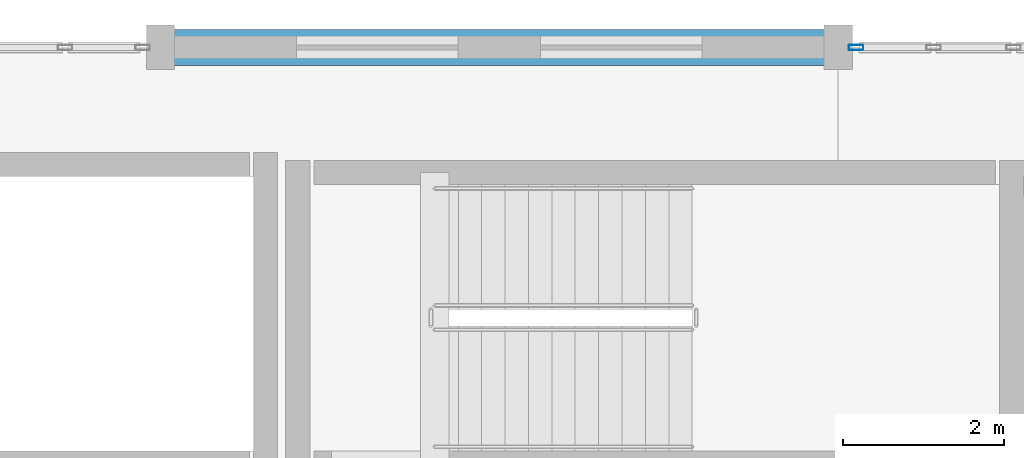
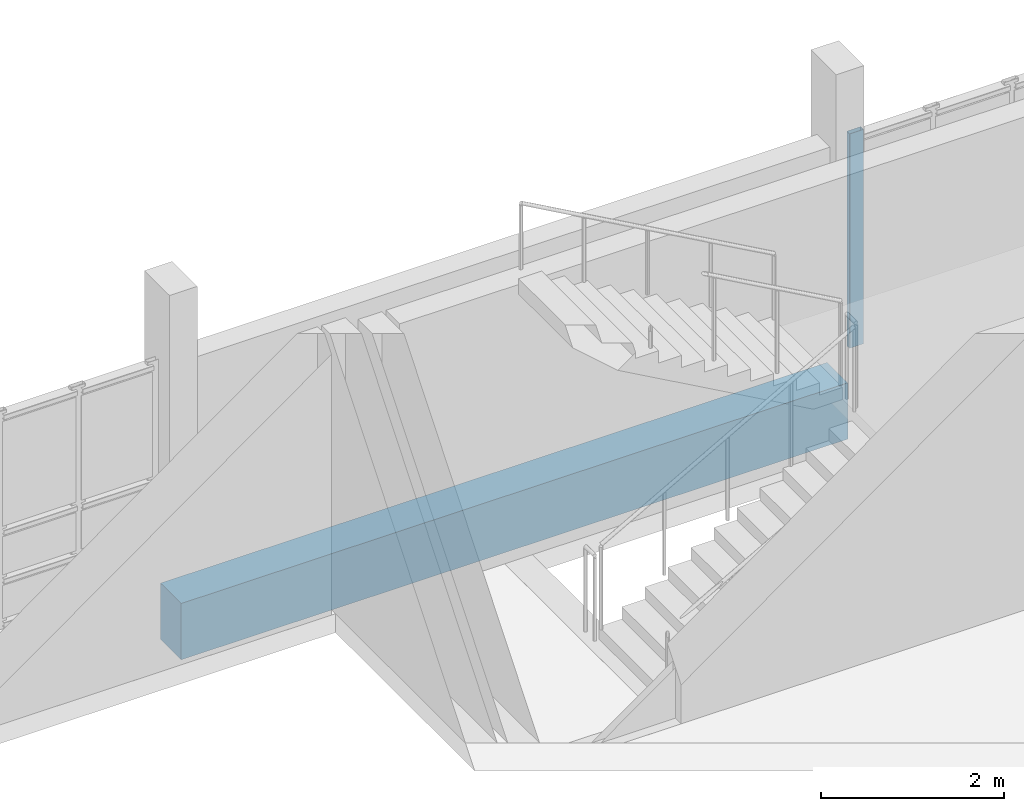
# One storey, part 3 of 25: 1 beam, 1 member, 1 element without a shape of its own.
"""IFC4 building model written with IfcOpenShell, lengths in metres."""

from ifc_helpers import new_model, si_unit, direction, frame, origin, origin_2d, place, context, subcontext, project, spatial, rectangle, hollow_rectangle, extrude, material, layer, layer_set, material_profile, profile_set, type_object, element, aggregate, save


model = new_model("IFC4")

# Units and contexts
model_context = context("Model", 3, precision=1e-05, world=origin(), true_north=direction((0.0, 1.0)))
body_context = subcontext(model_context, "Body", "Model", "MODEL_VIEW")
ifc_project = project(units=[si_unit("LENGTHUNIT", "METRE"), si_unit("AREAUNIT", "SQUARE_METRE"), si_unit("VOLUMEUNIT", "CUBIC_METRE"), si_unit("PLANEANGLEUNIT", "RADIAN"), si_unit("MASSUNIT", "GRAM", prefix="KILO")], contexts=[model_context])

# Site, building, storey
site_placement = place(None, origin())
site = spatial("IfcSite", under=ifc_project, at=site_placement, CompositionType="ELEMENT")
building_placement = place(site_placement, origin())
building = spatial("IfcBuilding", under=site, at=building_placement, Name="Kisaragi Civic Commons", CompositionType="ELEMENT")
storey_placement = place(building_placement, frame((0.0, 0.0, 13.5)))
storey = spatial("IfcBuildingStorey", under=building, at=storey_placement, Name="L03", CompositionType="ELEMENT", Elevation=13.5)

# Curtain wall, member
ifc_material_1 = material(Name="Thermally broken anodized aluminium and low-E double glazing", Category="aluminium")
ifc_layer = layer(ifc_material_1, 0.179931640625, Name="Thermally broken anodized aluminium and low-E double glazing", Category="aluminium")
ifc_layer_set = layer_set([ifc_layer], Name="Thermally broken anodized aluminium and low-E double glazing")
curtain_wall_type = type_object("IfcCurtainWallType", Name="CW-01", PredefinedType="NOTDEFINED", material=ifc_layer_set)
curtain_wall_placement = place(storey_placement, origin())
curtain_wall = element("IfcCurtainWall", 1, at=curtain_wall_placement, inside=storey, type_object=curtain_wall_type, Name="L03 curtain wall CW-01 CW-V4-L03-097", PredefinedType="NOTDEFINED")
ifc_material_profile_1 = material_profile(ifc_material_1, hollow_rectangle(XDim=0.06494140625, YDim=0.179931640625, WallThickness=0.00439453125, InnerFilletRadius=0.00439453125, OuterFilletRadius=0.009033203125, at=origin_2d()), Name="CWM-65x180x4.5", Category="aluminium")
ifc_profile_set_1 = profile_set([ifc_material_profile_1], Name="Thermally broken anodized aluminium and low-E double glazing")
member_type = type_object("IfcMemberType", Name="CWM-02", PredefinedType="MULLION", material=ifc_profile_set_1)
member_placement = place(storey_placement, frame((105.822509765625, 118.800048828125, 0.0), z_axis=(0.0, 0.0, 1.0), x_axis=(0.0, 1.0, 0.0)))
member = element("IfcMember", 2, at=member_placement, type_object=member_type, Name="CW-01 mullion 1", PredefinedType="MULLION", context=body_context, shape_type="SweptSolid", body=[
    extrude(hollow_rectangle(XDim=0.06494140625, YDim=0.179931640625, WallThickness=0.00439453125, InnerFilletRadius=0.00439453125, OuterFilletRadius=0.009033203125, at=origin_2d()), origin(), (0.0, 0.0, 1.0), 2.85498046875),
])
aggregate(curtain_wall, [member])

# Beam
ifc_material_2 = material(Name="Concrete Fc30", Category="concrete")
ifc_material_profile_2 = material_profile(ifc_material_2, rectangle(XDim=0.449951171875, YDim=0.75, at=origin_2d()), Name="RC-450x750", Category="concrete")
ifc_profile_set_2 = profile_set([ifc_material_profile_2], Name="Concrete Fc30")
beam_type = type_object("IfcBeamType", Name="SPB-04", PredefinedType="SPANDREL", material=ifc_profile_set_2)
beam_placement = place(storey_placement, frame((97.199951171875, 118.800048828125, -0.669921875), z_axis=(1.0, 0.0, 0.0), x_axis=(0.0, 1.0, 0.0)))
element("IfcBeam", 3, at=beam_placement, inside=storey, type_object=beam_type, Name="L03 girder SPB-04 333", PredefinedType="SPANDREL", context=body_context, shape_type="SweptSolid", body=[
    extrude(rectangle(XDim=0.449951171875, YDim=0.75, at=origin_2d()), origin(), (0.0, 0.0, 1.0), 8.400146484375),
])

save(model, "model.ifc")
